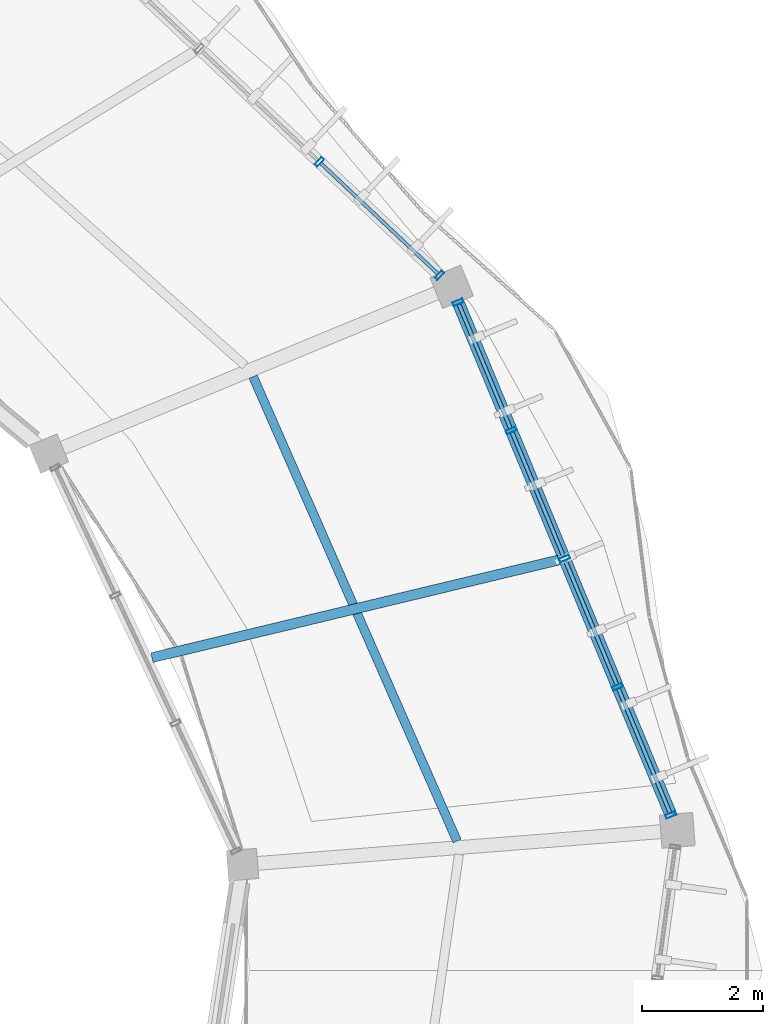
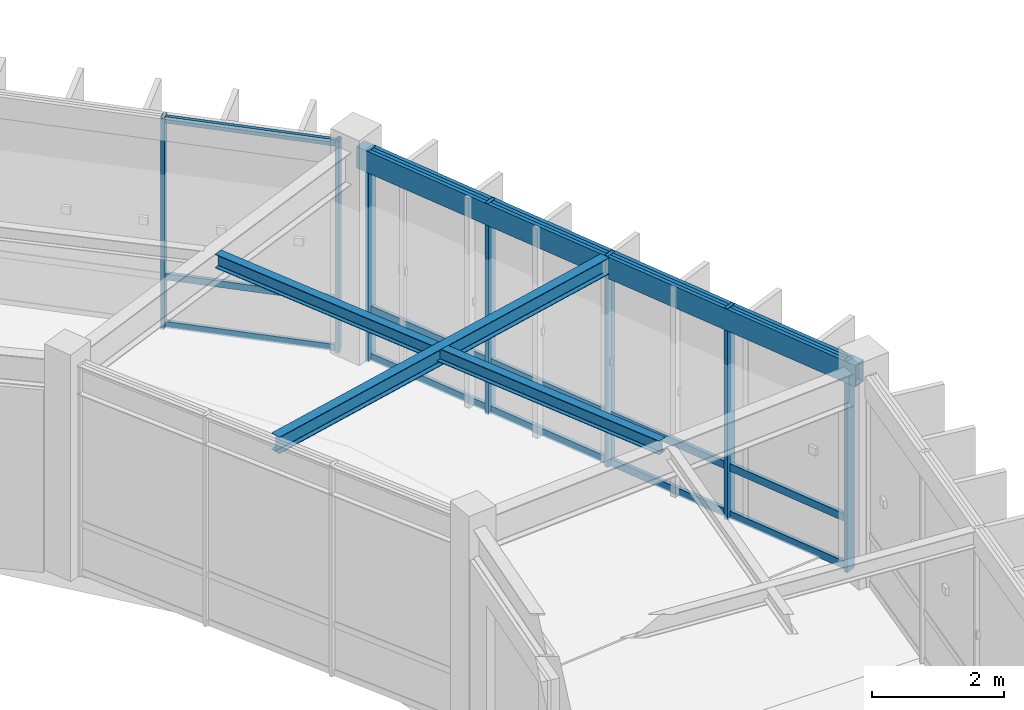
# One storey, part 62 of 79: 22 members, 3 beams, 2 elements without a shape of their own.
"""IFC4 building model written with IfcOpenShell, lengths in metres."""

from ifc_helpers import new_model, si_unit, direction, frame, origin, origin_2d, place, context, subcontext, project, spatial, hollow_rectangle, i_section, extrude, material, material_profile, profile_set, type_object, element, aggregate, save


model = new_model("IFC4")

# Units and contexts
model_context = context("Model", 3, precision=1e-05, world=origin(), true_north=direction((0.0, 1.0)))
body_context = subcontext(model_context, "Body", "Model", "MODEL_VIEW")
ifc_project = project(units=[si_unit("LENGTHUNIT", "METRE"), si_unit("AREAUNIT", "SQUARE_METRE"), si_unit("VOLUMEUNIT", "CUBIC_METRE"), si_unit("PLANEANGLEUNIT", "RADIAN"), si_unit("MASSUNIT", "GRAM", prefix="KILO"), si_unit("THERMODYNAMICTEMPERATUREUNIT", "KELVIN"), si_unit("POWERUNIT", "WATT")], contexts=[model_context])

# Site, building, storey
site_placement = place(None, origin())
site = spatial("IfcSite", under=ifc_project, at=site_placement, CompositionType="ELEMENT")
building_placement = place(site_placement, origin())
building = spatial("IfcBuilding", under=site, at=building_placement, Name="Darbajah Civic Hall", CompositionType="ELEMENT")
storey_placement = place(building_placement, frame((0.0, 0.0, 22.199951171875)))
storey = spatial("IfcBuildingStorey", under=building, at=storey_placement, Name="L05", CompositionType="ELEMENT", Elevation=22.199951171875)

# Curtain wall, members
ifc_material_1 = material(Name="Anodised Bronze Aluminium and Low-E Glazing", Category="aluminium")
curtain_wall_type_1 = type_object("IfcCurtainWallType", Name="Unitised Curtain Wall CW-63 10900x3900", PredefinedType="USERDEFINED", material=ifc_material_1)
curtain_wall_1_placement = place(storey_placement, origin())
curtain_wall_1 = element("IfcCurtainWall", 1, at=curtain_wall_1_placement, inside=storey, type_object=curtain_wall_type_1, Name="L05 unitised curtain wall CW-V1O-L05-01", ObjectType="UNITISED CURTAIN WALL", PredefinedType="USERDEFINED")
ifc_material_2 = material(Name="Anodised Bronze Aluminium", Category="aluminium")
ifc_material_profile_1 = material_profile(ifc_material_2, hollow_rectangle(XDim=0.06005859375, YDim=0.159912109375, WallThickness=0.00341796875, at=origin_2d()), Name="ALU MULLION 60x160")
ifc_profile_set_1 = profile_set([ifc_material_profile_1], Name="Anodised Bronze Aluminium")
member_type_1 = type_object("IfcMemberType", Name="ALU MULLION 60x160", PredefinedType="MULLION", material=ifc_profile_set_1)
member_1_placement = place(storey_placement, frame((136.0166015625, 101.279296875, 0.0), z_axis=(0.0, 0.0, 1.0), x_axis=(-0.727173991201, 0.686453193248, 0.0)))
member_1 = element("IfcMember", 2, at=member_1_placement, type_object=member_type_1, Name="CW-V1O-L05-01 mullion 1", PredefinedType="MULLION", context=body_context, shape_type="SweptSolid", body=[
    extrude(hollow_rectangle(XDim=0.06005859375, YDim=0.159912109375, WallThickness=0.00341796875, at=origin_2d()), origin(), (0.0, 0.0, 1.0), 3.920166015625),
])
member_2_placement = place(storey_placement, frame((134.032958984375, 103.151611328125, 0.0), z_axis=(0.0, 0.0, 1.0), x_axis=(-0.727173991201, 0.686453193248, 0.0)))
member_2 = element("IfcMember", 3, at=member_2_placement, type_object=member_type_1, Name="CW-V1O-L05-01 mullion 2", PredefinedType="MULLION", context=body_context, shape_type="SweptSolid", body=[
    extrude(hollow_rectangle(XDim=0.06005859375, YDim=0.159912109375, WallThickness=0.00341796875, at=origin_2d()), origin(), (0.0, 0.0, 1.0), 3.920166015625),
])

curtain_wall_type_2 = type_object("IfcCurtainWallType", Name="Unitised Curtain Wall CW-77 9200x3900", PredefinedType="USERDEFINED", material=ifc_material_1)
curtain_wall_2_placement = place(storey_placement, origin())
curtain_wall_2 = element("IfcCurtainWall", 4, at=curtain_wall_2_placement, inside=storey, type_object=curtain_wall_type_2, Name="L05 unitised curtain wall CW-V1O-L05-00", ObjectType="UNITISED CURTAIN WALL", PredefinedType="USERDEFINED")
ifc_material_profile_2 = material_profile(ifc_material_2, hollow_rectangle(XDim=0.06494140625, YDim=0.179931640625, WallThickness=0.00390625, at=origin_2d()), Name="ALU MULLION 65x180")
ifc_profile_set_2 = profile_set([ifc_material_profile_2], Name="Anodised Bronze Aluminium")
member_type_2 = type_object("IfcMemberType", Name="ALU MULLION 65x180", PredefinedType="MULLION", material=ifc_profile_set_2)
member_3_placement = place(storey_placement, frame((139.836669921875, 92.370361328125, 0.0), z_axis=(0.0, 0.0, 1.0), x_axis=(-0.383328328644, 0.923612143954, 0.0)))
member_3 = element("IfcMember", 5, at=member_3_placement, type_object=member_type_2, Name="CW-V1O-L05-00 mullion 1", PredefinedType="MULLION", context=body_context, shape_type="SweptSolid", body=[
    extrude(hollow_rectangle(XDim=0.06494140625, YDim=0.179931640625, WallThickness=0.00390625, at=origin_2d()), origin(), (0.0, 0.0, 1.0), 3.920166015625),
])
member_4_placement = place(storey_placement, frame((138.95849609375, 94.486083984375, 0.0), z_axis=(0.0, 0.0, 1.0), x_axis=(-0.383328328644, 0.923612143954, 0.0)))
member_4 = element("IfcMember", 6, at=member_4_placement, type_object=member_type_2, Name="CW-V1O-L05-00 mullion 2", PredefinedType="MULLION", context=body_context, shape_type="SweptSolid", body=[
    extrude(hollow_rectangle(XDim=0.06494140625, YDim=0.179931640625, WallThickness=0.00390625, at=origin_2d()), origin(), (0.0, 0.0, 1.0), 3.920166015625),
])
member_5_placement = place(storey_placement, frame((138.080322265625, 96.601806640625, 0.0), z_axis=(0.0, 0.0, 1.0), x_axis=(-0.383328328644, 0.923612143954, 0.0)))
member_5 = element("IfcMember", 7, at=member_5_placement, type_object=member_type_2, Name="CW-V1O-L05-00 mullion 3", PredefinedType="MULLION", context=body_context, shape_type="SweptSolid", body=[
    extrude(hollow_rectangle(XDim=0.06494140625, YDim=0.179931640625, WallThickness=0.00390625, at=origin_2d()), origin(), (0.0, 0.0, 1.0), 3.920166015625),
])
member_6_placement = place(storey_placement, frame((137.2021484375, 98.717529296875, 0.0), z_axis=(0.0, 0.0, 1.0), x_axis=(-0.383328328644, 0.923612143954, 0.0)))
member_6 = element("IfcMember", 8, at=member_6_placement, type_object=member_type_2, Name="CW-V1O-L05-00 mullion 4", PredefinedType="MULLION", context=body_context, shape_type="SweptSolid", body=[
    extrude(hollow_rectangle(XDim=0.06494140625, YDim=0.179931640625, WallThickness=0.00390625, at=origin_2d()), origin(), (0.0, 0.0, 1.0), 3.920166015625),
])
member_7_placement = place(storey_placement, frame((136.32421875, 100.83349609375, 0.0), z_axis=(0.0, 0.0, 1.0), x_axis=(-0.383328328644, 0.923612143954, 0.0)))
member_7 = element("IfcMember", 9, at=member_7_placement, type_object=member_type_2, Name="CW-V1O-L05-00 mullion 5", PredefinedType="MULLION", context=body_context, shape_type="SweptSolid", body=[
    extrude(hollow_rectangle(XDim=0.06494140625, YDim=0.179931640625, WallThickness=0.00390625, at=origin_2d()), origin(), (0.0, 0.0, 1.0), 3.920166015625),
])

# Member
ifc_material_profile_3 = material_profile(ifc_material_2, hollow_rectangle(XDim=0.06005859375, YDim=0.1201171875, WallThickness=0.003173828125, at=origin_2d()), Name="ALU TRANSOM 60x120")
ifc_profile_set_3 = profile_set([ifc_material_profile_3], Name="Anodised Bronze Aluminium")
member_type_3 = type_object("IfcMemberType", Name="ALU TRANSOM 60x120", PredefinedType="USERDEFINED", material=ifc_profile_set_3)
member_8_placement = place(storey_placement, frame((135.990966796875, 101.30322265625, 0.06005859375), z_axis=(-0.72716089037, 0.686467070962, 0.0), x_axis=(-0.686467070962, -0.72716089037, 0.0)))
member_8 = element("IfcMember", 10, at=member_8_placement, type_object=member_type_3, Name="CW-V1O-L05-01 transom 1.1", ObjectType="TRANSOM", PredefinedType="USERDEFINED", context=body_context, shape_type="SweptSolid", body=[
    extrude(hollow_rectangle(XDim=0.06005859375, YDim=0.1201171875, WallThickness=0.003173828125, at=origin_2d()), origin(), (0.0, 0.0, 1.0), 2.65771484375),
])

member_9_placement = place(storey_placement, frame((135.990966796875, 101.30322265625, 0.949951171875), z_axis=(-0.72716089037, 0.686467070962, 0.0), x_axis=(-0.686467070962, -0.72716089037, 0.0)))
member_9 = element("IfcMember", 11, at=member_9_placement, type_object=member_type_3, Name="CW-V1O-L05-01 transom 1.2", ObjectType="TRANSOM", PredefinedType="USERDEFINED", context=body_context, shape_type="SweptSolid", body=[
    extrude(hollow_rectangle(XDim=0.06005859375, YDim=0.1201171875, WallThickness=0.003173828125, at=origin_2d()), origin(), (0.0, 0.0, 1.0), 2.65771484375),
])

member_10_placement = place(storey_placement, frame((135.990966796875, 101.30322265625, 3.860107421875), z_axis=(-0.72716089037, 0.686467070962, 0.0), x_axis=(-0.686467070962, -0.72716089037, 0.0)))
member_10 = element("IfcMember", 12, at=member_10_placement, type_object=member_type_3, Name="CW-V1O-L05-01 transom 1.3", ObjectType="TRANSOM", PredefinedType="USERDEFINED", context=body_context, shape_type="SweptSolid", body=[
    extrude(hollow_rectangle(XDim=0.06005859375, YDim=0.1201171875, WallThickness=0.003173828125, at=origin_2d()), origin(), (0.0, 0.0, 1.0), 2.65771484375),
])

aggregate(curtain_wall_1, [member_1, member_2, member_8, member_9, member_10])

ifc_material_profile_4 = material_profile(ifc_material_2, hollow_rectangle(XDim=0.06494140625, YDim=0.139892578125, WallThickness=0.00341796875, at=origin_2d()), Name="ALU TRANSOM 65x140")
ifc_profile_set_4 = profile_set([ifc_material_profile_4], Name="Anodised Bronze Aluminium")
member_type_4 = type_object("IfcMemberType", Name="ALU TRANSOM 65x140", PredefinedType="USERDEFINED", material=ifc_profile_set_4)
member_11_placement = place(storey_placement, frame((139.822265625, 92.40478515625, 0.070068359375), z_axis=(-0.38330851251, 0.923620368029, 0.0), x_axis=(-0.923620368029, -0.38330851251, 0.0)))
member_11 = element("IfcMember", 13, at=member_11_placement, type_object=member_type_4, Name="CW-V1O-L05-00 transom 1.1", ObjectType="TRANSOM", PredefinedType="USERDEFINED", context=body_context, shape_type="SweptSolid", body=[
    extrude(hollow_rectangle(XDim=0.06494140625, YDim=0.139892578125, WallThickness=0.00341796875, at=origin_2d()), origin(), (0.0, 0.0, 1.0), 2.2158203125),
])

member_12_placement = place(storey_placement, frame((139.822265625, 92.40478515625, 0.949951171875), z_axis=(-0.38330851251, 0.923620368029, 0.0), x_axis=(-0.923620368029, -0.38330851251, 0.0)))
member_12 = element("IfcMember", 14, at=member_12_placement, type_object=member_type_4, Name="CW-V1O-L05-00 transom 1.2", ObjectType="TRANSOM", PredefinedType="USERDEFINED", context=body_context, shape_type="SweptSolid", body=[
    extrude(hollow_rectangle(XDim=0.06494140625, YDim=0.139892578125, WallThickness=0.00341796875, at=origin_2d()), origin(), (0.0, 0.0, 1.0), 2.2158203125),
])

member_13_placement = place(storey_placement, frame((139.822265625, 92.40478515625, 3.85009765625), z_axis=(-0.38330851251, 0.923620368029, 0.0), x_axis=(-0.923620368029, -0.38330851251, 0.0)))
member_13 = element("IfcMember", 15, at=member_13_placement, type_object=member_type_4, Name="CW-V1O-L05-00 transom 1.3", ObjectType="TRANSOM", PredefinedType="USERDEFINED", context=body_context, shape_type="SweptSolid", body=[
    extrude(hollow_rectangle(XDim=0.06494140625, YDim=0.139892578125, WallThickness=0.00341796875, at=origin_2d()), origin(), (0.0, 0.0, 1.0), 2.2158203125),
])

member_14_placement = place(storey_placement, frame((138.944091796875, 94.520751953125, 0.070068359375), z_axis=(-0.38334752255, 0.923604177641, 0.0), x_axis=(-0.923604177641, -0.38334752255, 0.0)))
member_14 = element("IfcMember", 16, at=member_14_placement, type_object=member_type_4, Name="CW-V1O-L05-00 transom 2.1", ObjectType="TRANSOM", PredefinedType="USERDEFINED", context=body_context, shape_type="SweptSolid", body=[
    extrude(hollow_rectangle(XDim=0.06494140625, YDim=0.139892578125, WallThickness=0.00341796875, at=origin_2d()), origin(), (0.0, 0.0, 1.0), 2.215576171875),
])

member_15_placement = place(storey_placement, frame((138.944091796875, 94.520751953125, 0.949951171875), z_axis=(-0.38334752255, 0.923604177641, 0.0), x_axis=(-0.923604177641, -0.38334752255, 0.0)))
member_15 = element("IfcMember", 17, at=member_15_placement, type_object=member_type_4, Name="CW-V1O-L05-00 transom 2.2", ObjectType="TRANSOM", PredefinedType="USERDEFINED", context=body_context, shape_type="SweptSolid", body=[
    extrude(hollow_rectangle(XDim=0.06494140625, YDim=0.139892578125, WallThickness=0.00341796875, at=origin_2d()), origin(), (0.0, 0.0, 1.0), 2.215576171875),
])

member_16_placement = place(storey_placement, frame((138.944091796875, 94.520751953125, 3.85009765625), z_axis=(-0.38334752255, 0.923604177641, 0.0), x_axis=(-0.923604177641, -0.38334752255, 0.0)))
member_16 = element("IfcMember", 18, at=member_16_placement, type_object=member_type_4, Name="CW-V1O-L05-00 transom 2.3", ObjectType="TRANSOM", PredefinedType="USERDEFINED", context=body_context, shape_type="SweptSolid", body=[
    extrude(hollow_rectangle(XDim=0.06494140625, YDim=0.139892578125, WallThickness=0.00341796875, at=origin_2d()), origin(), (0.0, 0.0, 1.0), 2.215576171875),
])

member_17_placement = place(storey_placement, frame((138.06591796875, 96.636474609375, 0.070068359375), z_axis=(-0.38330851251, 0.923620368029, 0.0), x_axis=(-0.923620368029, -0.38330851251, 0.0)))
member_17 = element("IfcMember", 19, at=member_17_placement, type_object=member_type_4, Name="CW-V1O-L05-00 transom 3.1", ObjectType="TRANSOM", PredefinedType="USERDEFINED", context=body_context, shape_type="SweptSolid", body=[
    extrude(hollow_rectangle(XDim=0.06494140625, YDim=0.139892578125, WallThickness=0.00341796875, at=origin_2d()), origin(), (0.0, 0.0, 1.0), 2.2158203125),
])

member_18_placement = place(storey_placement, frame((138.06591796875, 96.636474609375, 0.949951171875), z_axis=(-0.38330851251, 0.923620368029, 0.0), x_axis=(-0.923620368029, -0.38330851251, 0.0)))
member_18 = element("IfcMember", 20, at=member_18_placement, type_object=member_type_4, Name="CW-V1O-L05-00 transom 3.2", ObjectType="TRANSOM", PredefinedType="USERDEFINED", context=body_context, shape_type="SweptSolid", body=[
    extrude(hollow_rectangle(XDim=0.06494140625, YDim=0.139892578125, WallThickness=0.00341796875, at=origin_2d()), origin(), (0.0, 0.0, 1.0), 2.2158203125),
])

member_19_placement = place(storey_placement, frame((138.06591796875, 96.636474609375, 3.85009765625), z_axis=(-0.38330851251, 0.923620368029, 0.0), x_axis=(-0.923620368029, -0.38330851251, 0.0)))
member_19 = element("IfcMember", 21, at=member_19_placement, type_object=member_type_4, Name="CW-V1O-L05-00 transom 3.3", ObjectType="TRANSOM", PredefinedType="USERDEFINED", context=body_context, shape_type="SweptSolid", body=[
    extrude(hollow_rectangle(XDim=0.06494140625, YDim=0.139892578125, WallThickness=0.00341796875, at=origin_2d()), origin(), (0.0, 0.0, 1.0), 2.2158203125),
])

member_20_placement = place(storey_placement, frame((137.18798828125, 98.752197265625, 0.070068359375), z_axis=(-0.383402496424, 0.923581358482, 0.0), x_axis=(-0.923581358482, -0.383402496424, 0.0)))
member_20 = element("IfcMember", 22, at=member_20_placement, type_object=member_type_4, Name="CW-V1O-L05-00 transom 4.1", ObjectType="TRANSOM", PredefinedType="USERDEFINED", context=body_context, shape_type="SweptSolid", body=[
    extrude(hollow_rectangle(XDim=0.06494140625, YDim=0.139892578125, WallThickness=0.00341796875, at=origin_2d()), origin(), (0.0, 0.0, 1.0), 2.216064453125),
])

member_21_placement = place(storey_placement, frame((137.18798828125, 98.752197265625, 0.949951171875), z_axis=(-0.383402496424, 0.923581358482, 0.0), x_axis=(-0.923581358482, -0.383402496424, 0.0)))
member_21 = element("IfcMember", 23, at=member_21_placement, type_object=member_type_4, Name="CW-V1O-L05-00 transom 4.2", ObjectType="TRANSOM", PredefinedType="USERDEFINED", context=body_context, shape_type="SweptSolid", body=[
    extrude(hollow_rectangle(XDim=0.06494140625, YDim=0.139892578125, WallThickness=0.00341796875, at=origin_2d()), origin(), (0.0, 0.0, 1.0), 2.216064453125),
])

member_22_placement = place(storey_placement, frame((137.18798828125, 98.752197265625, 3.85009765625), z_axis=(-0.383402496424, 0.923581358482, 0.0), x_axis=(-0.923581358482, -0.383402496424, 0.0)))
member_22 = element("IfcMember", 24, at=member_22_placement, type_object=member_type_4, Name="CW-V1O-L05-00 transom 4.3", ObjectType="TRANSOM", PredefinedType="USERDEFINED", context=body_context, shape_type="SweptSolid", body=[
    extrude(hollow_rectangle(XDim=0.06494140625, YDim=0.139892578125, WallThickness=0.00341796875, at=origin_2d()), origin(), (0.0, 0.0, 1.0), 2.216064453125),
])

aggregate(curtain_wall_2, [member_3, member_4, member_5, member_6, member_7, member_11, member_12, member_13, member_14, member_15, member_16, member_17, member_18, member_19, member_20, member_21, member_22])

# Beams
ifc_material_3 = material(Name="Steel S355JR", Category="steel")
ifc_material_profile_5 = material_profile(ifc_material_3, hollow_rectangle(XDim=0.199951171875, YDim=0.39990234375, WallThickness=0.013916015625, at=origin_2d()), Name="RHS 400x200x14")
ifc_profile_set_5 = profile_set([ifc_material_profile_5], Name="Steel S355JR")
beam_type_1 = type_object("IfcBeamType", Name="RHS 400x200x14", PredefinedType="SPANDREL", material=ifc_profile_set_5)
beam_1_placement = place(storey_placement, frame((139.912109375, 92.1884765625, 3.719970703125), z_axis=(-0.38333984527, 0.923607364104, 0.0), x_axis=(-0.923607364104, -0.38333984527, 0.0)))
element("IfcBeam", 25, at=beam_1_placement, inside=storey, type_object=beam_type_1, Name="L05 beam SP-RHS400", PredefinedType="SPANDREL", context=body_context, shape_type="SweptSolid", body=[
    extrude(hollow_rectangle(XDim=0.199951171875, YDim=0.39990234375, WallThickness=0.013916015625, at=origin_2d()), origin(), (0.0, 0.0, 1.0), 9.556884765625),
])
ifc_material_profile_6 = material_profile(ifc_material_3, i_section(OverallWidth=0.146484375, OverallDepth=0.256103515625, WebThickness=0.00634765625, FlangeThickness=0.010986328125, FilletRadius=0.007568359375, at=origin_2d()), Name="UB 254x146x37")
ifc_profile_set_6 = profile_set([ifc_material_profile_6], Name="Steel S355JR")
beam_type_2 = type_object("IfcBeamType", Name="UB 254x146x37", PredefinedType="JOIST", material=ifc_profile_set_6)
beam_2_placement = place(storey_placement, frame((136.30712890625, 91.938232421875, 3.7919921875), z_axis=(-0.402231491777, 0.915537998678, 0.0), x_axis=(-0.915537998678, -0.402231491777, 0.0)))
element("IfcBeam", 26, at=beam_2_placement, inside=storey, type_object=beam_type_2, Name="L05 beam SJ-254", PredefinedType="JOIST", context=body_context, shape_type="SweptSolid", body=[
    extrude(i_section(OverallWidth=0.146484375, OverallDepth=0.256103515625, WebThickness=0.00634765625, FlangeThickness=0.010986328125, FilletRadius=0.007568359375, at=origin_2d()), origin(), (0.0, 0.0, 1.0), 8.374267578125),
])
ifc_material_profile_7 = material_profile(ifc_material_3, i_section(OverallWidth=0.165771484375, OverallDepth=0.306640625, WebThickness=0.006591796875, FlangeThickness=0.01171875, FilletRadius=0.0087890625, at=origin_2d()), Name="UB 305x165x46")
ifc_profile_set_7 = profile_set([ifc_material_profile_7], Name="Steel S355JR")
beam_type_3 = type_object("IfcBeamType", Name="UB 305x165x46", PredefinedType="JOIST", material=ifc_profile_set_7)
beam_3_placement = place(storey_placement, frame((131.2685546875, 94.96630859375, 3.766845703125), z_axis=(0.972369643286, 0.233446518106, 0.0), x_axis=(-0.233446518106, 0.972369643286, 0.0)))
element("IfcBeam", 27, at=beam_3_placement, inside=storey, type_object=beam_type_3, Name="L05 beam SJ-305", PredefinedType="JOIST", context=body_context, shape_type="SweptSolid", body=[
    extrude(i_section(OverallWidth=0.165771484375, OverallDepth=0.306640625, WebThickness=0.006591796875, FlangeThickness=0.01171875, FilletRadius=0.0087890625, at=origin_2d()), origin(), (0.0, 0.0, 1.0), 6.9033203125),
])

save(model, "model.ifc")
